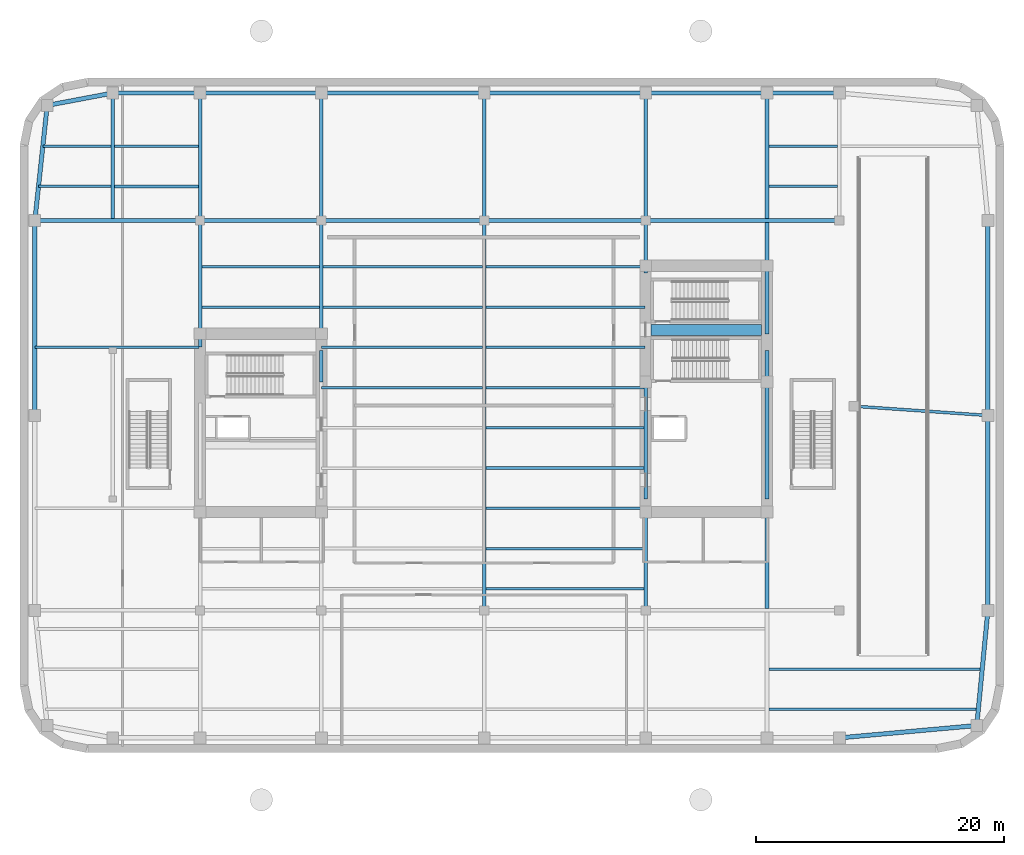
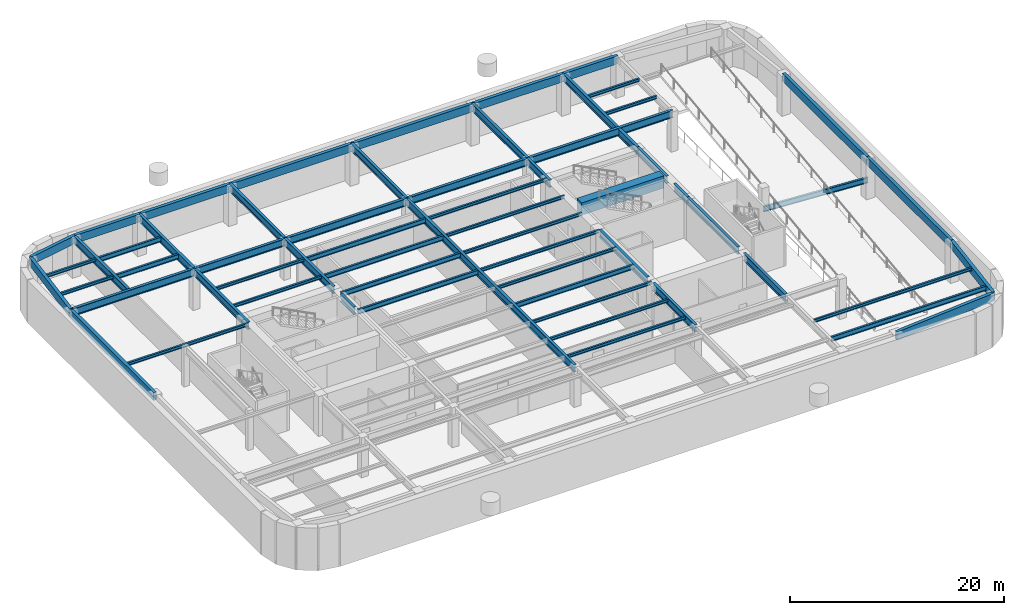
# One storey, part 2 of 12: 62 beams.
"""IFC4 building model written with IfcOpenShell, lengths in metres."""

from ifc_helpers import new_model, si_unit, direction, frame, origin, origin_2d, place, context, subcontext, project, spatial, rectangle, hollow_rectangle, i_section, extrude, material, material_profile, profile_set, type_object, element, save


model = new_model("IFC4")

# Units and contexts
model_context = context("Model", 3, precision=1e-05, world=origin(), true_north=direction((0.0, 1.0)))
body_context = subcontext(model_context, "Body", "Model", "MODEL_VIEW")
ifc_project = project(units=[si_unit("LENGTHUNIT", "METRE"), si_unit("AREAUNIT", "SQUARE_METRE"), si_unit("VOLUMEUNIT", "CUBIC_METRE"), si_unit("PLANEANGLEUNIT", "RADIAN"), si_unit("MASSUNIT", "GRAM", prefix="KILO")], contexts=[model_context])

# Site, building, storey
site_placement = place(None, origin())
site = spatial("IfcSite", under=ifc_project, at=site_placement, CompositionType="ELEMENT")
building_placement = place(site_placement, origin())
building = spatial("IfcBuilding", under=site, at=building_placement, Name="Kolvaren Arena Tower", CompositionType="ELEMENT")
storey_placement = place(building_placement, frame((0.0, 0.0, -5.0)))
storey = spatial("IfcBuildingStorey", under=building, at=storey_placement, Name="B01", CompositionType="ELEMENT", Elevation=-5.0)

# Beams
ifc_material_1 = material(Name="Steel CSA G40.21 350W", Category="steel")
ifc_material_profile_1 = material_profile(ifc_material_1, i_section(OverallWidth=0.2119140625, OverallDepth=0.54296875, WebThickness=0.01318359375, FlangeThickness=0.0244140625, FilletRadius=0.013916015625, at=origin_2d()), Name="W530x150")
ifc_profile_set_1 = profile_set([ifc_material_profile_1], Name="Steel CSA G40.21 350W")
beam_type_1 = type_object("IfcBeamType", Name="BEAM-F1", PredefinedType="BEAM", material=ifc_profile_set_1)
beam_1_placement = place(storey_placement, frame((60.49609375, 3.5, 4.278564453125), z_axis=(1.0, 0.0, 0.0), x_axis=(0.0, 1.0, 0.0)))
element("IfcBeam", 1, at=beam_1_placement, inside=storey, type_object=beam_type_1, Name="Composite Floor Beam (B01)", PredefinedType="BEAM", context=body_context, shape_type="SweptSolid", body=[
    extrude(i_section(OverallWidth=0.2119140625, OverallDepth=0.54296875, WebThickness=0.01318359375, FlangeThickness=0.0244140625, FilletRadius=0.013916015625, at=origin_2d()), origin(), (0.0, 0.0, 1.0), 16.9296875),
])
beam_2_placement = place(storey_placement, frame((37.64599609375, 23.0, 4.278564453125), z_axis=(1.0, 0.0, 0.0), x_axis=(0.0, 1.0, 0.0)))
element("IfcBeam", 2, at=beam_2_placement, inside=storey, type_object=beam_type_1, Name="Composite Floor Beam (B01)", PredefinedType="BEAM", context=body_context, shape_type="SweptSolid", body=[
    extrude(i_section(OverallWidth=0.2119140625, OverallDepth=0.54296875, WebThickness=0.01318359375, FlangeThickness=0.0244140625, FilletRadius=0.013916015625, at=origin_2d()), origin(), (0.0, 0.0, 1.0), 12.884033203125),
])
for number, where, z_axis, x_axis, name in (
    (3, (24.3701171875, 29.5, 4.278564453125), (1.0, 0.0, 0.0), (0.0, 1.0, 0.0), "Composite Floor Beam (B01)"),
    (4, (24.3701171875, 32.75, 4.278564453125), (1.0, 0.0, 0.0), (0.0, 1.0, 0.0), "Composite Floor Beam (B01)"),
):
    element("IfcBeam", number, at=place(storey_placement, frame(where, z_axis=z_axis, x_axis=x_axis)), inside=storey, type_object=beam_type_1, Name=name, PredefinedType="BEAM", context=body_context, shape_type="SweptSolid", body=[
        extrude(i_section(OverallWidth=0.2119140625, OverallDepth=0.54296875, WebThickness=0.01318359375, FlangeThickness=0.0244140625, FilletRadius=0.013916015625, at=origin_2d()), origin(), (0.0, 0.0, 1.0), 12.98388671875),
    ])
for number, where, z_axis, x_axis, name in (
    (5, (24.49609375, 36.0, 4.278564453125), (1.0, 0.0, 0.0), (0.0, 1.0, 0.0), "Composite Floor Beam (B01)"),
    (6, (24.49609375, 39.25, 4.278564453125), (1.0, 0.0, 0.0), (0.0, 1.0, 0.0), "Composite Floor Beam (B01)"),
):
    element("IfcBeam", number, at=place(storey_placement, frame(where, z_axis=z_axis, x_axis=x_axis)), inside=storey, type_object=beam_type_1, Name=name, PredefinedType="BEAM", context=body_context, shape_type="SweptSolid", body=[
        extrude(i_section(OverallWidth=0.2119140625, OverallDepth=0.54296875, WebThickness=0.01318359375, FlangeThickness=0.0244140625, FilletRadius=0.013916015625, at=origin_2d()), origin(), (0.0, 0.0, 1.0), 12.85791015625),
    ])
for number, where, z_axis, x_axis, name in (
    (7, (7.64599609375, 45.75, 4.278564453125), (1.0, 0.0, 0.0), (0.0, 1.0, 0.0), "Composite Floor Beam (B01)"),
    (8, (7.64599609375, 49.0, 4.278564453125), (1.0, 0.0, 0.0), (0.0, 1.0, 0.0), "Composite Floor Beam (B01)"),
):
    element("IfcBeam", number, at=place(storey_placement, frame(where, z_axis=z_axis, x_axis=x_axis)), inside=storey, type_object=beam_type_1, Name=name, PredefinedType="BEAM", context=body_context, shape_type="SweptSolid", body=[
        extrude(i_section(OverallWidth=0.2119140625, OverallDepth=0.54296875, WebThickness=0.01318359375, FlangeThickness=0.0244140625, FilletRadius=0.013916015625, at=origin_2d()), origin(), (0.0, 0.0, 1.0), 6.758056640625),
    ])
ifc_material_2 = material(Name="Concrete 75 MPa", Category="concrete")
ifc_material_profile_2 = material_profile(ifc_material_2, rectangle(XDim=0.89990234375, YDim=1.39990234375, at=origin_2d()), Name="RC-900x1400")
ifc_profile_set_2 = profile_set([ifc_material_profile_2], Name="Concrete 75 MPa")
beam_type_2 = type_object("IfcBeamType", Name="CB-CORE-1", PredefinedType="BEAM", material=ifc_profile_set_2)
beam_3_placement = place(storey_placement, frame((51.0, 34.14990234375, 4.1201171875), z_axis=(1.0, 0.0, 0.0), x_axis=(0.0, 1.0, 0.0)))
element("IfcBeam", 9, at=beam_3_placement, inside=storey, type_object=beam_type_2, Name="East Core Coupling Beam (B01)", PredefinedType="BEAM", context=body_context, shape_type="SweptSolid", body=[
    extrude(rectangle(XDim=0.89990234375, YDim=1.39990234375, at=origin_2d()), origin(), (0.0, 0.0, 1.0), 8.89990234375),
])
ifc_material_profile_3 = material_profile(ifc_material_1, i_section(OverallWidth=0.2919921875, OverallDepth=0.85498046875, WebThickness=0.02099609375, FlangeThickness=0.03564453125, FilletRadius=0.01806640625, at=origin_2d()), Name="W840x299")
ifc_profile_set_3 = profile_set([ifc_material_profile_3], Name="Steel CSA G40.21 350W")
beam_type_3 = type_object("IfcBeamType", Name="GIRD-P1", PredefinedType="BEAM", material=ifc_profile_set_3)
beam_4_placement = place(storey_placement, frame((1.199951171875, 43.0, 4.12255859375), z_axis=(1.0, 0.0, 0.0), x_axis=(0.0, 1.0, 0.0)))
element("IfcBeam", 10, at=beam_4_placement, inside=storey, type_object=beam_type_3, Name="Primary Floor Girder (B01)", PredefinedType="BEAM", context=body_context, shape_type="SweptSolid", body=[
    extrude(i_section(OverallWidth=0.2919921875, OverallDepth=0.85498046875, WebThickness=0.02099609375, FlangeThickness=0.03564453125, FilletRadius=0.01806640625, at=origin_2d()), origin(), (0.0, 0.0, 1.0), 13.35009765625),
])
beam_5_placement = place(storey_placement, frame((14.550048828125, 43.0, 4.12255859375), z_axis=(1.0, 0.0, 0.0), x_axis=(0.0, 1.0, 0.0)))
element("IfcBeam", 11, at=beam_5_placement, inside=storey, type_object=beam_type_3, Name="Primary Floor Girder (B01)", PredefinedType="BEAM", context=body_context, shape_type="SweptSolid", body=[
    extrude(i_section(OverallWidth=0.2919921875, OverallDepth=0.85498046875, WebThickness=0.02099609375, FlangeThickness=0.03564453125, FilletRadius=0.01806640625, at=origin_2d()), origin(), (0.0, 0.0, 1.0), 9.800048828125),
])
beam_6_placement = place(storey_placement, frame((24.35009765625, 43.0, 4.12255859375), z_axis=(1.0, 0.0, 0.0), x_axis=(0.0, 1.0, 0.0)))
element("IfcBeam", 12, at=beam_6_placement, inside=storey, type_object=beam_type_3, Name="Primary Floor Girder (B01)", PredefinedType="BEAM", context=body_context, shape_type="SweptSolid", body=[
    extrude(i_section(OverallWidth=0.2919921875, OverallDepth=0.85498046875, WebThickness=0.02099609375, FlangeThickness=0.03564453125, FilletRadius=0.01806640625, at=origin_2d()), origin(), (0.0, 0.0, 1.0), 13.14990234375),
])
beam_7_placement = place(storey_placement, frame((37.5, 43.0, 4.12255859375), z_axis=(1.0, 0.0, 0.0), x_axis=(0.0, 1.0, 0.0)))
element("IfcBeam", 13, at=beam_7_placement, inside=storey, type_object=beam_type_3, Name="Primary Floor Girder (B01)", PredefinedType="BEAM", context=body_context, shape_type="SweptSolid", body=[
    extrude(i_section(OverallWidth=0.2919921875, OverallDepth=0.85498046875, WebThickness=0.02099609375, FlangeThickness=0.03564453125, FilletRadius=0.01806640625, at=origin_2d()), origin(), (0.0, 0.0, 1.0), 13.050048828125),
])
beam_8_placement = place(storey_placement, frame((50.550048828125, 43.0, 4.12255859375), z_axis=(1.0, 0.0, 0.0), x_axis=(0.0, 1.0, 0.0)))
element("IfcBeam", 14, at=beam_8_placement, inside=storey, type_object=beam_type_3, Name="Primary Floor Girder (B01)", PredefinedType="BEAM", context=body_context, shape_type="SweptSolid", body=[
    extrude(i_section(OverallWidth=0.2919921875, OverallDepth=0.85498046875, WebThickness=0.02099609375, FlangeThickness=0.03564453125, FilletRadius=0.01806640625, at=origin_2d()), origin(), (0.0, 0.0, 1.0), 15.64990234375),
])
beam_9_placement = place(storey_placement, frame((7.5, 43.14599609375, 4.12255859375), z_axis=(0.0, 1.0, 0.0), x_axis=(-1.0, 0.0, 0.0)))
element("IfcBeam", 15, at=beam_9_placement, inside=storey, type_object=beam_type_3, Name="Primary Floor Girder (B01)", PredefinedType="BEAM", context=body_context, shape_type="SweptSolid", body=[
    extrude(i_section(OverallWidth=0.2919921875, OverallDepth=0.85498046875, WebThickness=0.02099609375, FlangeThickness=0.03564453125, FilletRadius=0.01806640625, at=origin_2d()), origin(), (0.0, 0.0, 1.0), 10.154052734375),
])
beam_10_placement = place(storey_placement, frame((14.550048828125, 32.7900390625, 4.12255859375), z_axis=(0.0, 1.0, 0.0), x_axis=(-1.0, 0.0, 0.0)))
element("IfcBeam", 16, at=beam_10_placement, inside=storey, type_object=beam_type_3, Name="Primary Floor Girder (B01)", PredefinedType="BEAM", context=body_context, shape_type="SweptSolid", body=[
    extrude(i_section(OverallWidth=0.2919921875, OverallDepth=0.85498046875, WebThickness=0.02099609375, FlangeThickness=0.03564453125, FilletRadius=0.01806640625, at=origin_2d()), origin(), (0.0, 0.0, 1.0), 10.2099609375),
])
beam_11_placement = place(storey_placement, frame((14.550048828125, 43.0, 4.12255859375), z_axis=(0.0, 1.0, 0.0), x_axis=(-1.0, 0.0, 0.0)))
element("IfcBeam", 17, at=beam_11_placement, inside=storey, type_object=beam_type_3, Name="Primary Floor Girder (B01)", PredefinedType="BEAM", context=body_context, shape_type="SweptSolid", body=[
    extrude(i_section(OverallWidth=0.2919921875, OverallDepth=0.85498046875, WebThickness=0.02099609375, FlangeThickness=0.03564453125, FilletRadius=0.01806640625, at=origin_2d()), origin(), (0.0, 0.0, 1.0), 10.300048828125),
])
beam_12_placement = place(storey_placement, frame((24.35009765625, 29.949951171875, 4.12255859375), z_axis=(0.0, 1.0, 0.0), x_axis=(-1.0, 0.0, 0.0)))
element("IfcBeam", 18, at=beam_12_placement, inside=storey, type_object=beam_type_3, Name="Primary Floor Girder (B01)", PredefinedType="BEAM", context=body_context, shape_type="SweptSolid", body=[
    extrude(i_section(OverallWidth=0.2919921875, OverallDepth=0.85498046875, WebThickness=0.02099609375, FlangeThickness=0.03564453125, FilletRadius=0.01806640625, at=origin_2d()), origin(), (0.0, 0.0, 1.0), 2.550048828125),
])
beam_13_placement = place(storey_placement, frame((24.35009765625, 33.85009765625, 4.12255859375), z_axis=(0.0, 1.0, 0.0), x_axis=(-1.0, 0.0, 0.0)))
element("IfcBeam", 19, at=beam_13_placement, inside=storey, type_object=beam_type_3, Name="Primary Floor Girder (B01)", PredefinedType="BEAM", context=body_context, shape_type="SweptSolid", body=[
    extrude(i_section(OverallWidth=0.2919921875, OverallDepth=0.85498046875, WebThickness=0.02099609375, FlangeThickness=0.03564453125, FilletRadius=0.01806640625, at=origin_2d()), origin(), (0.0, 0.0, 1.0), 9.14990234375),
])
beam_14_placement = place(storey_placement, frame((24.35009765625, 43.0, 4.12255859375), z_axis=(0.0, 1.0, 0.0), x_axis=(-1.0, 0.0, 0.0)))
element("IfcBeam", 20, at=beam_14_placement, inside=storey, type_object=beam_type_3, Name="Primary Floor Girder (B01)", PredefinedType="BEAM", context=body_context, shape_type="SweptSolid", body=[
    extrude(i_section(OverallWidth=0.2919921875, OverallDepth=0.85498046875, WebThickness=0.02099609375, FlangeThickness=0.03564453125, FilletRadius=0.01806640625, at=origin_2d()), origin(), (0.0, 0.0, 1.0), 10.300048828125),
])
beam_15_placement = place(storey_placement, frame((37.5, 11.5, 4.12255859375), z_axis=(0.0, 1.0, 0.0), x_axis=(-1.0, 0.0, 0.0)))
element("IfcBeam", 21, at=beam_15_placement, inside=storey, type_object=beam_type_3, Name="Primary Floor Girder (B01)", PredefinedType="BEAM", context=body_context, shape_type="SweptSolid", body=[
    extrude(i_section(OverallWidth=0.2919921875, OverallDepth=0.85498046875, WebThickness=0.02099609375, FlangeThickness=0.03564453125, FilletRadius=0.01806640625, at=origin_2d()), origin(), (0.0, 0.0, 1.0), 31.5),
])
beam_16_placement = place(storey_placement, frame((37.5, 43.0, 4.12255859375), z_axis=(0.0, 1.0, 0.0), x_axis=(-1.0, 0.0, 0.0)))
element("IfcBeam", 22, at=beam_16_placement, inside=storey, type_object=beam_type_3, Name="Primary Floor Girder (B01)", PredefinedType="BEAM", context=body_context, shape_type="SweptSolid", body=[
    extrude(i_section(OverallWidth=0.2919921875, OverallDepth=0.85498046875, WebThickness=0.02099609375, FlangeThickness=0.03564453125, FilletRadius=0.01806640625, at=origin_2d()), origin(), (0.0, 0.0, 1.0), 10.300048828125),
])
beam_17_placement = place(storey_placement, frame((50.550048828125, 11.5, 4.12255859375), z_axis=(0.0, 1.0, 0.0), x_axis=(-1.0, 0.0, 0.0)))
element("IfcBeam", 23, at=beam_17_placement, inside=storey, type_object=beam_type_3, Name="Primary Floor Girder (B01)", PredefinedType="BEAM", context=body_context, shape_type="SweptSolid", body=[
    extrude(i_section(OverallWidth=0.2919921875, OverallDepth=0.85498046875, WebThickness=0.02099609375, FlangeThickness=0.03564453125, FilletRadius=0.01806640625, at=origin_2d()), origin(), (0.0, 0.0, 1.0), 7.949951171875),
])
beam_18_placement = place(storey_placement, frame((50.550048828125, 20.5, 4.12255859375), z_axis=(0.0, 1.0, 0.0), x_axis=(-1.0, 0.0, 0.0)))
element("IfcBeam", 24, at=beam_18_placement, inside=storey, type_object=beam_type_3, Name="Primary Floor Girder (B01)", PredefinedType="BEAM", context=body_context, shape_type="SweptSolid", body=[
    extrude(i_section(OverallWidth=0.2919921875, OverallDepth=0.85498046875, WebThickness=0.02099609375, FlangeThickness=0.03564453125, FilletRadius=0.01806640625, at=origin_2d()), origin(), (0.0, 0.0, 1.0), 8.989990234375),
])
beam_19_placement = place(storey_placement, frame((50.550048828125, 38.760009765625, 4.12255859375), z_axis=(0.0, 1.0, 0.0), x_axis=(-1.0, 0.0, 0.0)))
element("IfcBeam", 25, at=beam_19_placement, inside=storey, type_object=beam_type_3, Name="Primary Floor Girder (B01)", PredefinedType="BEAM", context=body_context, shape_type="SweptSolid", body=[
    extrude(i_section(OverallWidth=0.2919921875, OverallDepth=0.85498046875, WebThickness=0.02099609375, FlangeThickness=0.03564453125, FilletRadius=0.01806640625, at=origin_2d()), origin(), (0.0, 0.0, 1.0), 4.239990234375),
])
beam_20_placement = place(storey_placement, frame((50.550048828125, 43.0, 4.12255859375), z_axis=(0.0, 1.0, 0.0), x_axis=(-1.0, 0.0, 0.0)))
element("IfcBeam", 26, at=beam_20_placement, inside=storey, type_object=beam_type_3, Name="Primary Floor Girder (B01)", PredefinedType="BEAM", context=body_context, shape_type="SweptSolid", body=[
    extrude(i_section(OverallWidth=0.2919921875, OverallDepth=0.85498046875, WebThickness=0.02099609375, FlangeThickness=0.03564453125, FilletRadius=0.01806640625, at=origin_2d()), origin(), (0.0, 0.0, 1.0), 10.300048828125),
])
beam_21_placement = place(storey_placement, frame((60.35009765625, 11.64599609375, 4.12255859375), z_axis=(0.0, 1.0, 0.0), x_axis=(-1.0, 0.0, 0.0)))
element("IfcBeam", 27, at=beam_21_placement, inside=storey, type_object=beam_type_3, Name="Primary Floor Girder (B01)", PredefinedType="BEAM", context=body_context, shape_type="SweptSolid", body=[
    extrude(i_section(OverallWidth=0.2919921875, OverallDepth=0.85498046875, WebThickness=0.02099609375, FlangeThickness=0.03564453125, FilletRadius=0.01806640625, at=origin_2d()), origin(), (0.0, 0.0, 1.0), 7.803955078125),
])
beam_22_placement = place(storey_placement, frame((60.35009765625, 20.5, 4.12255859375), z_axis=(0.0, 1.0, 0.0), x_axis=(-1.0, 0.0, 0.0)))
element("IfcBeam", 28, at=beam_22_placement, inside=storey, type_object=beam_type_3, Name="Primary Floor Girder (B01)", PredefinedType="BEAM", context=body_context, shape_type="SweptSolid", body=[
    extrude(i_section(OverallWidth=0.2919921875, OverallDepth=0.85498046875, WebThickness=0.02099609375, FlangeThickness=0.03564453125, FilletRadius=0.01806640625, at=origin_2d()), origin(), (0.0, 0.0, 1.0), 9.449951171875),
])
beam_23_placement = place(storey_placement, frame((60.35009765625, 29.949951171875, 4.12255859375), z_axis=(0.0, 1.0, 0.0), x_axis=(-1.0, 0.0, 0.0)))
element("IfcBeam", 29, at=beam_23_placement, inside=storey, type_object=beam_type_3, Name="Primary Floor Girder (B01)", PredefinedType="BEAM", context=body_context, shape_type="SweptSolid", body=[
    extrude(i_section(OverallWidth=0.2919921875, OverallDepth=0.85498046875, WebThickness=0.02099609375, FlangeThickness=0.03564453125, FilletRadius=0.01806640625, at=origin_2d()), origin(), (0.0, 0.0, 1.0), 2.550048828125),
])
beam_24_placement = place(storey_placement, frame((60.35009765625, 33.85009765625, 4.12255859375), z_axis=(0.0, 1.0, 0.0), x_axis=(-1.0, 0.0, 0.0)))
element("IfcBeam", 30, at=beam_24_placement, inside=storey, type_object=beam_type_3, Name="Primary Floor Girder (B01)", PredefinedType="BEAM", context=body_context, shape_type="SweptSolid", body=[
    extrude(i_section(OverallWidth=0.2919921875, OverallDepth=0.85498046875, WebThickness=0.02099609375, FlangeThickness=0.03564453125, FilletRadius=0.01806640625, at=origin_2d()), origin(), (0.0, 0.0, 1.0), 5.5),
])
beam_25_placement = place(storey_placement, frame((60.35009765625, 39.35009765625, 4.12255859375), z_axis=(0.0, 1.0, 0.0), x_axis=(-1.0, 0.0, 0.0)))
element("IfcBeam", 31, at=beam_25_placement, inside=storey, type_object=beam_type_3, Name="Primary Floor Girder (B01)", PredefinedType="BEAM", context=body_context, shape_type="SweptSolid", body=[
    extrude(i_section(OverallWidth=0.2919921875, OverallDepth=0.85498046875, WebThickness=0.02099609375, FlangeThickness=0.03564453125, FilletRadius=0.01806640625, at=origin_2d()), origin(), (0.0, 0.0, 1.0), 3.50390625),
])
beam_26_placement = place(storey_placement, frame((60.35009765625, 43.14599609375, 4.12255859375), z_axis=(0.0, 1.0, 0.0), x_axis=(-1.0, 0.0, 0.0)))
element("IfcBeam", 32, at=beam_26_placement, inside=storey, type_object=beam_type_3, Name="Primary Floor Girder (B01)", PredefinedType="BEAM", context=body_context, shape_type="SweptSolid", body=[
    extrude(i_section(OverallWidth=0.2919921875, OverallDepth=0.85498046875, WebThickness=0.02099609375, FlangeThickness=0.03564453125, FilletRadius=0.01806640625, at=origin_2d()), origin(), (0.0, 0.0, 1.0), 10.154052734375),
])
ifc_material_profile_4 = material_profile(ifc_material_1, i_section(OverallWidth=0.22802734375, OverallDepth=0.615966796875, WebThickness=0.013916015625, FlangeThickness=0.02490234375, FilletRadius=0.014892578125, at=origin_2d()), Name="W610x174")
ifc_profile_set_4 = profile_set([ifc_material_profile_4], Name="Steel CSA G40.21 350W")
beam_type_4 = type_object("IfcBeamType", Name="GIRD-T3", PredefinedType="BEAM", material=ifc_profile_set_4)
beam_27_placement = place(storey_placement, frame((67.35009765625, 28.0, 1.882080078125), z_axis=(0.997619370654, -0.068960795361, 0.0), x_axis=(0.068960795361, 0.997619370654, 0.0)))
element("IfcBeam", 33, at=beam_27_placement, inside=storey, type_object=beam_type_4, Name="Vehicle Ramp Mid-Span Support Beam (B01)", PredefinedType="BEAM", context=body_context, shape_type="SweptSolid", body=[
    extrude(i_section(OverallWidth=0.22802734375, OverallDepth=0.615966796875, WebThickness=0.013916015625, FlangeThickness=0.02490234375, FilletRadius=0.014892578125, at=origin_2d()), origin(), (0.0, 0.0, 1.0), 10.875732421875),
])
ifc_material_profile_5 = material_profile(ifc_material_1, i_section(OverallWidth=0.202880859375, OverallDepth=0.346923828125, WebThickness=0.0078125, FlangeThickness=0.013427734375, FilletRadius=0.010986328125, at=origin_2d()), Name="W360x64")
ifc_profile_set_5 = profile_set([ifc_material_profile_5], Name="Steel CSA G40.21 350W")
beam_type_5 = type_object("IfcBeamType", Name="JOIST-01", PredefinedType="JOIST", material=ifc_profile_set_5)
beam_28_placement = place(storey_placement, frame((60.49609375, 6.75, 4.37646484375), z_axis=(1.0, 0.0, 0.0), x_axis=(0.0, 1.0, 0.0)))
element("IfcBeam", 34, at=beam_28_placement, inside=storey, type_object=beam_type_5, Name="Composite Floor Joist (B01)", PredefinedType="JOIST", context=body_context, shape_type="SweptSolid", body=[
    extrude(i_section(OverallWidth=0.202880859375, OverallDepth=0.346923828125, WebThickness=0.0078125, FlangeThickness=0.013427734375, FilletRadius=0.010986328125, at=origin_2d()), origin(), (0.0, 0.0, 1.0), 17.244140625),
])
for number, where, z_axis, x_axis, name in (
    (35, (37.64599609375, 13.25, 4.37646484375), (1.0, 0.0, 0.0), (0.0, 1.0, 0.0), "Composite Floor Joist (B01)"),
    (36, (37.64599609375, 16.5, 4.37646484375), (1.0, 0.0, 0.0), (0.0, 1.0, 0.0), "Composite Floor Joist (B01)"),
):
    element("IfcBeam", number, at=place(storey_placement, frame(where, z_axis=z_axis, x_axis=x_axis)), inside=storey, type_object=beam_type_5, Name=name, PredefinedType="JOIST", context=body_context, shape_type="SweptSolid", body=[
        extrude(i_section(OverallWidth=0.202880859375, OverallDepth=0.346923828125, WebThickness=0.0078125, FlangeThickness=0.013427734375, FilletRadius=0.010986328125, at=origin_2d()), origin(), (0.0, 0.0, 1.0), 12.758056640625),
    ])
for number, where, z_axis, x_axis, name in (
    (37, (37.64599609375, 19.75, 4.37646484375), (1.0, 0.0, 0.0), (0.0, 1.0, 0.0), "Composite Floor Joist (B01)"),
    (38, (37.64599609375, 26.25, 4.37646484375), (1.0, 0.0, 0.0), (0.0, 1.0, 0.0), "Composite Floor Joist (B01)"),
):
    element("IfcBeam", number, at=place(storey_placement, frame(where, z_axis=z_axis, x_axis=x_axis)), inside=storey, type_object=beam_type_5, Name=name, PredefinedType="JOIST", context=body_context, shape_type="SweptSolid", body=[
        extrude(i_section(OverallWidth=0.202880859375, OverallDepth=0.346923828125, WebThickness=0.0078125, FlangeThickness=0.013427734375, FilletRadius=0.010986328125, at=origin_2d()), origin(), (0.0, 0.0, 1.0), 12.884033203125),
    ])
beam_29_placement = place(storey_placement, frame((37.64599609375, 29.5, 4.37646484375), z_axis=(1.0, 0.0, 0.0), x_axis=(0.0, 1.0, 0.0)))
element("IfcBeam", 39, at=beam_29_placement, inside=storey, type_object=beam_type_5, Name="Composite Floor Joist (B01)", PredefinedType="JOIST", context=body_context, shape_type="SweptSolid", body=[
    extrude(i_section(OverallWidth=0.202880859375, OverallDepth=0.346923828125, WebThickness=0.0078125, FlangeThickness=0.013427734375, FilletRadius=0.010986328125, at=origin_2d()), origin(), (0.0, 0.0, 1.0), 12.833984375),
])
beam_30_placement = place(storey_placement, frame((1.199951171875, 32.75, 4.37646484375), z_axis=(1.0, 0.0, 0.0), x_axis=(0.0, 1.0, 0.0)))
element("IfcBeam", 40, at=beam_30_placement, inside=storey, type_object=beam_type_5, Name="Composite Floor Joist (B01)", PredefinedType="JOIST", context=body_context, shape_type="SweptSolid", body=[
    extrude(i_section(OverallWidth=0.202880859375, OverallDepth=0.346923828125, WebThickness=0.0078125, FlangeThickness=0.013427734375, FilletRadius=0.010986328125, at=origin_2d()), origin(), (0.0, 0.0, 1.0), 13.280029296875),
])
beam_31_placement = place(storey_placement, frame((37.64599609375, 32.75, 4.37646484375), z_axis=(1.0, 0.0, 0.0), x_axis=(0.0, 1.0, 0.0)))
element("IfcBeam", 41, at=beam_31_placement, inside=storey, type_object=beam_type_5, Name="Composite Floor Joist (B01)", PredefinedType="JOIST", context=body_context, shape_type="SweptSolid", body=[
    extrude(i_section(OverallWidth=0.202880859375, OverallDepth=0.346923828125, WebThickness=0.0078125, FlangeThickness=0.013427734375, FilletRadius=0.010986328125, at=origin_2d()), origin(), (0.0, 0.0, 1.0), 12.833984375),
])
beam_32_placement = place(storey_placement, frame((14.696044921875, 36.0, 4.37646484375), z_axis=(1.0, 0.0, 0.0), x_axis=(0.0, 1.0, 0.0)))
element("IfcBeam", 42, at=beam_32_placement, inside=storey, type_object=beam_type_5, Name="Composite Floor Joist (B01)", PredefinedType="JOIST", context=body_context, shape_type="SweptSolid", body=[
    extrude(i_section(OverallWidth=0.202880859375, OverallDepth=0.346923828125, WebThickness=0.0078125, FlangeThickness=0.013427734375, FilletRadius=0.010986328125, at=origin_2d()), origin(), (0.0, 0.0, 1.0), 9.508056640625),
])
beam_33_placement = place(storey_placement, frame((37.64599609375, 36.0, 4.37646484375), z_axis=(1.0, 0.0, 0.0), x_axis=(0.0, 1.0, 0.0)))
element("IfcBeam", 43, at=beam_33_placement, inside=storey, type_object=beam_type_5, Name="Composite Floor Joist (B01)", PredefinedType="JOIST", context=body_context, shape_type="SweptSolid", body=[
    extrude(i_section(OverallWidth=0.202880859375, OverallDepth=0.346923828125, WebThickness=0.0078125, FlangeThickness=0.013427734375, FilletRadius=0.010986328125, at=origin_2d()), origin(), (0.0, 0.0, 1.0), 12.833984375),
])
beam_34_placement = place(storey_placement, frame((14.696044921875, 39.25, 4.37646484375), z_axis=(1.0, 0.0, 0.0), x_axis=(0.0, 1.0, 0.0)))
element("IfcBeam", 44, at=beam_34_placement, inside=storey, type_object=beam_type_5, Name="Composite Floor Joist (B01)", PredefinedType="JOIST", context=body_context, shape_type="SweptSolid", body=[
    extrude(i_section(OverallWidth=0.202880859375, OverallDepth=0.346923828125, WebThickness=0.0078125, FlangeThickness=0.013427734375, FilletRadius=0.010986328125, at=origin_2d()), origin(), (0.0, 0.0, 1.0), 9.508056640625),
])
beam_35_placement = place(storey_placement, frame((37.64599609375, 39.25, 4.37646484375), z_axis=(1.0, 0.0, 0.0), x_axis=(0.0, 1.0, 0.0)))
element("IfcBeam", 45, at=beam_35_placement, inside=storey, type_object=beam_type_5, Name="Composite Floor Joist (B01)", PredefinedType="JOIST", context=body_context, shape_type="SweptSolid", body=[
    extrude(i_section(OverallWidth=0.202880859375, OverallDepth=0.346923828125, WebThickness=0.0078125, FlangeThickness=0.013427734375, FilletRadius=0.010986328125, at=origin_2d()), origin(), (0.0, 0.0, 1.0), 12.884033203125),
])
beam_36_placement = place(storey_placement, frame((1.49560546875, 45.75, 4.37646484375), z_axis=(1.0, 0.0, 0.0), x_axis=(0.0, 1.0, 0.0)))
element("IfcBeam", 46, at=beam_36_placement, inside=storey, type_object=beam_type_5, Name="Composite Floor Joist (B01)", PredefinedType="JOIST", context=body_context, shape_type="SweptSolid", body=[
    extrude(i_section(OverallWidth=0.202880859375, OverallDepth=0.346923828125, WebThickness=0.0078125, FlangeThickness=0.013427734375, FilletRadius=0.010986328125, at=origin_2d()), origin(), (0.0, 0.0, 1.0), 5.8583984375),
])
beam_37_placement = place(storey_placement, frame((60.49609375, 45.75, 4.37646484375), z_axis=(1.0, 0.0, 0.0), x_axis=(0.0, 1.0, 0.0)))
element("IfcBeam", 47, at=beam_37_placement, inside=storey, type_object=beam_type_5, Name="Composite Floor Joist (B01)", PredefinedType="JOIST", context=body_context, shape_type="SweptSolid", body=[
    extrude(i_section(OverallWidth=0.202880859375, OverallDepth=0.346923828125, WebThickness=0.0078125, FlangeThickness=0.013427734375, FilletRadius=0.010986328125, at=origin_2d()), origin(), (0.0, 0.0, 1.0), 5.557861328125),
])
beam_38_placement = place(storey_placement, frame((1.84521484375, 49.0, 4.37646484375), z_axis=(1.0, 0.0, 0.0), x_axis=(0.0, 1.0, 0.0)))
element("IfcBeam", 48, at=beam_38_placement, inside=storey, type_object=beam_type_5, Name="Composite Floor Joist (B01)", PredefinedType="JOIST", context=body_context, shape_type="SweptSolid", body=[
    extrude(i_section(OverallWidth=0.202880859375, OverallDepth=0.346923828125, WebThickness=0.0078125, FlangeThickness=0.013427734375, FilletRadius=0.010986328125, at=origin_2d()), origin(), (0.0, 0.0, 1.0), 5.5087890625),
])
beam_39_placement = place(storey_placement, frame((60.49609375, 49.0, 4.37646484375), z_axis=(1.0, 0.0, 0.0), x_axis=(0.0, 1.0, 0.0)))
element("IfcBeam", 49, at=beam_39_placement, inside=storey, type_object=beam_type_5, Name="Composite Floor Joist (B01)", PredefinedType="JOIST", context=body_context, shape_type="SweptSolid", body=[
    extrude(i_section(OverallWidth=0.202880859375, OverallDepth=0.346923828125, WebThickness=0.0078125, FlangeThickness=0.013427734375, FilletRadius=0.010986328125, at=origin_2d()), origin(), (0.0, 0.0, 1.0), 5.557861328125),
])
ifc_material_3 = material(Name="Steel CSA G40.21 350WT", Category="steel")
ifc_material_profile_6 = material_profile(ifc_material_3, hollow_rectangle(XDim=0.35009765625, YDim=0.89990234375, WallThickness=0.02001953125, at=origin_2d()), Name="HSS 900x350x20")
ifc_profile_set_6 = profile_set([ifc_material_profile_6], Name="Steel CSA G40.21 350WT")
beam_type_6 = type_object("IfcBeamType", Name="SPAND-01", PredefinedType="SPANDREL", material=ifc_profile_set_6)
beam_40_placement = place(storey_placement, frame((66.199951171875, 1.199951171875, 4.10009765625), z_axis=(0.995966494892, 0.089725921855, 0.0), x_axis=(-0.089725921855, 0.995966494892, 0.0)))
element("IfcBeam", 50, at=beam_40_placement, inside=storey, type_object=beam_type_6, Name="Perimeter Spandrel Beam (B01)", PredefinedType="SPANDREL", context=body_context, shape_type="SweptSolid", body=[
    extrude(hollow_rectangle(XDim=0.35009765625, YDim=0.89990234375, WallThickness=0.02001953125, at=origin_2d()), origin(), (0.0, 0.0, 1.0), 11.14501953125),
])
beam_41_placement = place(storey_placement, frame((77.300048828125, 2.199951171875, 4.10009765625), z_axis=(0.09631333899, 0.995351064064, 0.0), x_axis=(-0.995351064064, 0.09631333899, 0.0)))
element("IfcBeam", 51, at=beam_41_placement, inside=storey, type_object=beam_type_6, Name="Perimeter Spandrel Beam (B01)", PredefinedType="SPANDREL", context=body_context, shape_type="SweptSolid", body=[
    extrude(hollow_rectangle(XDim=0.35009765625, YDim=0.89990234375, WallThickness=0.02001953125, at=origin_2d()), origin(), (0.0, 0.0, 1.0), 9.343505859375),
])
for number, where, z_axis, x_axis, name in (
    (52, (78.199951171875, 11.5, 4.10009765625), (0.0, 1.0, 0.0), (-1.0, 0.0, 0.0), "Perimeter Spandrel Beam (B01)"),
    (53, (78.199951171875, 27.25, 4.10009765625), (0.0, 1.0, 0.0), (-1.0, 0.0, 0.0), "Perimeter Spandrel Beam (B01)"),
):
    element("IfcBeam", number, at=place(storey_placement, frame(where, z_axis=z_axis, x_axis=x_axis)), inside=storey, type_object=beam_type_6, Name=name, PredefinedType="SPANDREL", context=body_context, shape_type="SweptSolid", body=[
        extrude(hollow_rectangle(XDim=0.35009765625, YDim=0.89990234375, WallThickness=0.02001953125, at=origin_2d()), origin(), (0.0, 0.0, 1.0), 15.75),
    ])
beam_42_placement = place(storey_placement, frame((66.199951171875, 53.300048828125, 4.10009765625), z_axis=(-1.0, 0.0, 0.0), x_axis=(0.0, -1.0, 0.0)))
element("IfcBeam", 54, at=beam_42_placement, inside=storey, type_object=beam_type_6, Name="Perimeter Spandrel Beam (B01)", PredefinedType="SPANDREL", context=body_context, shape_type="SweptSolid", body=[
    extrude(hollow_rectangle(XDim=0.35009765625, YDim=0.89990234375, WallThickness=0.02001953125, at=origin_2d()), origin(), (0.0, 0.0, 1.0), 5.849853515625),
])
beam_43_placement = place(storey_placement, frame((60.35009765625, 53.300048828125, 4.10009765625), z_axis=(-1.0, 0.0, 0.0), x_axis=(0.0, -1.0, 0.0)))
element("IfcBeam", 55, at=beam_43_placement, inside=storey, type_object=beam_type_6, Name="Perimeter Spandrel Beam (B01)", PredefinedType="SPANDREL", context=body_context, shape_type="SweptSolid", body=[
    extrude(hollow_rectangle(XDim=0.35009765625, YDim=0.89990234375, WallThickness=0.02001953125, at=origin_2d()), origin(), (0.0, 0.0, 1.0), 9.800048828125),
])
beam_44_placement = place(storey_placement, frame((50.550048828125, 53.300048828125, 4.10009765625), z_axis=(-1.0, 0.0, 0.0), x_axis=(0.0, -1.0, 0.0)))
element("IfcBeam", 56, at=beam_44_placement, inside=storey, type_object=beam_type_6, Name="Perimeter Spandrel Beam (B01)", PredefinedType="SPANDREL", context=body_context, shape_type="SweptSolid", body=[
    extrude(hollow_rectangle(XDim=0.35009765625, YDim=0.89990234375, WallThickness=0.02001953125, at=origin_2d()), origin(), (0.0, 0.0, 1.0), 13.050048828125),
])
beam_45_placement = place(storey_placement, frame((37.5, 53.300048828125, 4.10009765625), z_axis=(-1.0, 0.0, 0.0), x_axis=(0.0, -1.0, 0.0)))
element("IfcBeam", 57, at=beam_45_placement, inside=storey, type_object=beam_type_6, Name="Perimeter Spandrel Beam (B01)", PredefinedType="SPANDREL", context=body_context, shape_type="SweptSolid", body=[
    extrude(hollow_rectangle(XDim=0.35009765625, YDim=0.89990234375, WallThickness=0.02001953125, at=origin_2d()), origin(), (0.0, 0.0, 1.0), 13.14990234375),
])
beam_46_placement = place(storey_placement, frame((24.35009765625, 53.300048828125, 4.10009765625), z_axis=(-1.0, 0.0, 0.0), x_axis=(0.0, -1.0, 0.0)))
element("IfcBeam", 58, at=beam_46_placement, inside=storey, type_object=beam_type_6, Name="Perimeter Spandrel Beam (B01)", PredefinedType="SPANDREL", context=body_context, shape_type="SweptSolid", body=[
    extrude(hollow_rectangle(XDim=0.35009765625, YDim=0.89990234375, WallThickness=0.02001953125, at=origin_2d()), origin(), (0.0, 0.0, 1.0), 9.800048828125),
])
beam_47_placement = place(storey_placement, frame((14.550048828125, 53.300048828125, 4.10009765625), z_axis=(-1.0, 0.0, 0.0), x_axis=(0.0, -1.0, 0.0)))
element("IfcBeam", 59, at=beam_47_placement, inside=storey, type_object=beam_type_6, Name="Perimeter Spandrel Beam (B01)", PredefinedType="SPANDREL", context=body_context, shape_type="SweptSolid", body=[
    extrude(hollow_rectangle(XDim=0.35009765625, YDim=0.89990234375, WallThickness=0.02001953125, at=origin_2d()), origin(), (0.0, 0.0, 1.0), 7.050048828125),
])
beam_48_placement = place(storey_placement, frame((7.5, 53.300048828125, 4.10009765625), z_axis=(-0.982661964955, -0.185406209796, 0.0), x_axis=(0.185406209796, -0.982661964955, 0.0)))
element("IfcBeam", 60, at=beam_48_placement, inside=storey, type_object=beam_type_6, Name="Perimeter Spandrel Beam (B01)", PredefinedType="SPANDREL", context=body_context, shape_type="SweptSolid", body=[
    extrude(hollow_rectangle(XDim=0.35009765625, YDim=0.89990234375, WallThickness=0.02001953125, at=origin_2d()), origin(), (0.0, 0.0, 1.0), 5.3935546875),
])
beam_49_placement = place(storey_placement, frame((2.199951171875, 52.300048828125, 4.10009765625), z_axis=(-0.106910051219, -0.994268696555, 0.0), x_axis=(0.994268696555, -0.106910051219, 0.0)))
element("IfcBeam", 61, at=beam_49_placement, inside=storey, type_object=beam_type_6, Name="Perimeter Spandrel Beam (B01)", PredefinedType="SPANDREL", context=body_context, shape_type="SweptSolid", body=[
    extrude(hollow_rectangle(XDim=0.35009765625, YDim=0.89990234375, WallThickness=0.02001953125, at=origin_2d()), origin(), (0.0, 0.0, 1.0), 9.353759765625),
])
beam_50_placement = place(storey_placement, frame((1.199951171875, 43.0, 4.10009765625), z_axis=(0.0, -1.0, 0.0), x_axis=(1.0, 0.0, 0.0)))
element("IfcBeam", 62, at=beam_50_placement, inside=storey, type_object=beam_type_6, Name="Perimeter Spandrel Beam (B01)", PredefinedType="SPANDREL", context=body_context, shape_type="SweptSolid", body=[
    extrude(hollow_rectangle(XDim=0.35009765625, YDim=0.89990234375, WallThickness=0.02001953125, at=origin_2d()), origin(), (0.0, 0.0, 1.0), 15.75),
])

save(model, "model.ifc")
